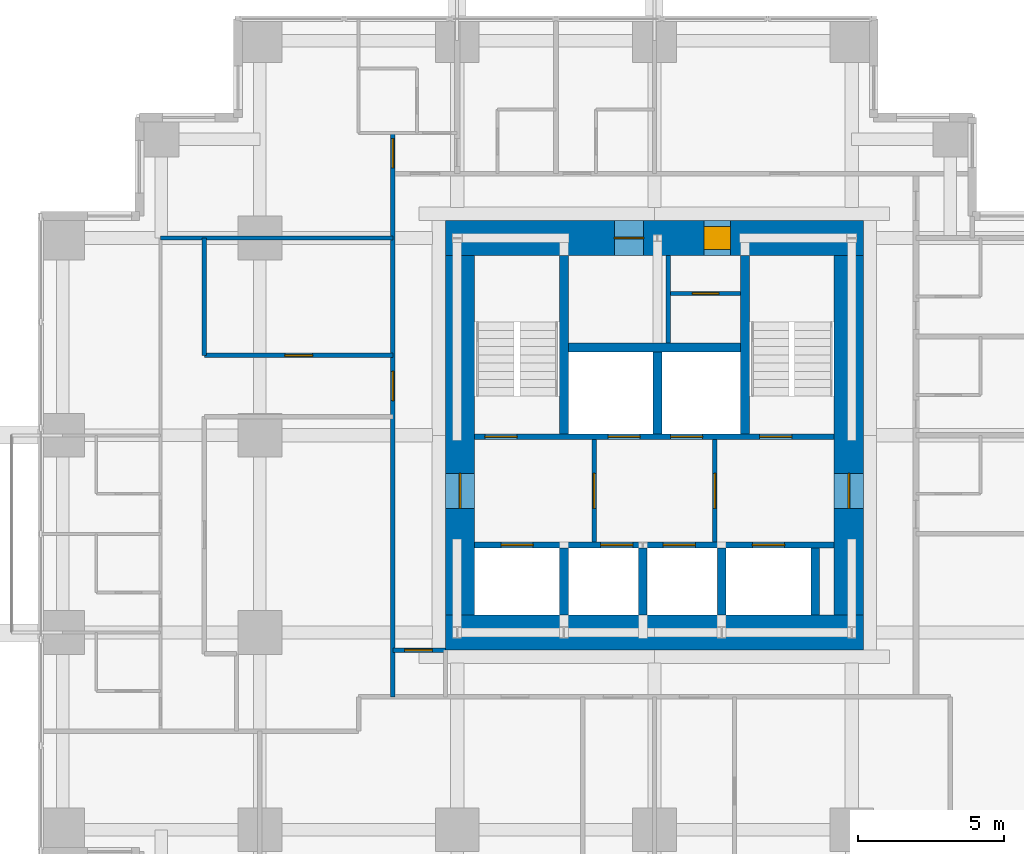
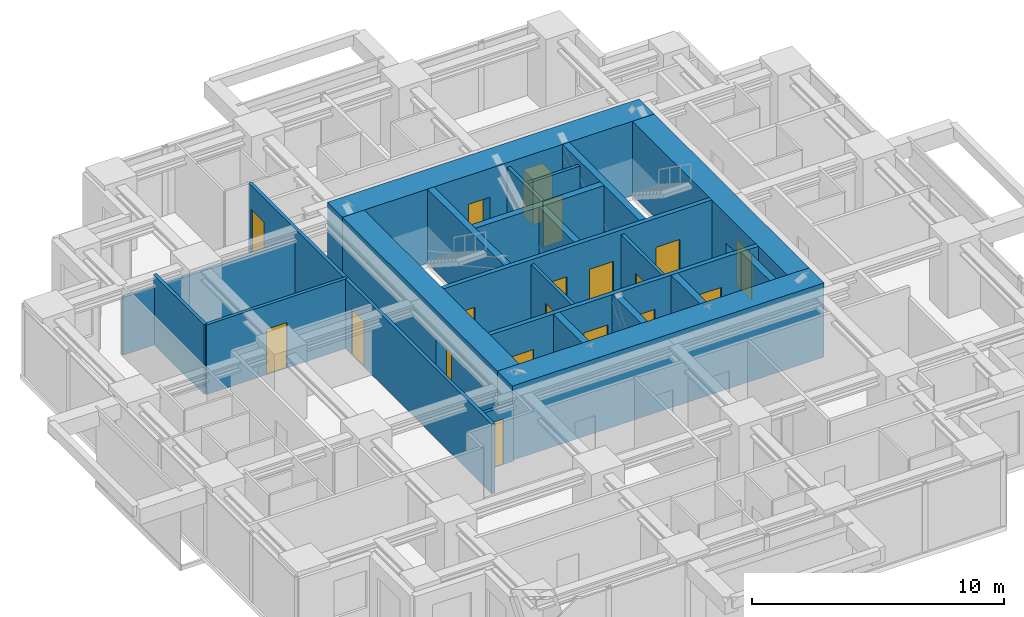
# One storey, part 7 of 10: 23 walls, 19 doors, 19 openings.
"""IFC4 building model written with IfcOpenShell, lengths in metres."""

from ifc_helpers import new_model, si_unit, direction, frame, frame_2d, origin, place, context, subcontext, project, spatial, rectangle, extrude, material, layer, layer_set, type_object, element, fill, save


model = new_model("IFC4")

# Units and contexts
model_context = context("Model", 3, precision=1e-05, world=origin(), true_north=direction((0.0, 1.0)))
body_context = subcontext(model_context, "Body", "Model", "MODEL_VIEW")
ifc_project = project(units=[si_unit("LENGTHUNIT", "METRE"), si_unit("AREAUNIT", "SQUARE_METRE"), si_unit("VOLUMEUNIT", "CUBIC_METRE"), si_unit("PLANEANGLEUNIT", "RADIAN"), si_unit("MASSUNIT", "GRAM", prefix="KILO")], contexts=[model_context])

# Site, building, storey
site_placement = place(None, origin())
site = spatial("IfcSite", under=ifc_project, at=site_placement, CompositionType="ELEMENT")
building_placement = place(site_placement, origin())
building = spatial("IfcBuilding", under=site, at=building_placement, Name="Nyansa Garden Tower", CompositionType="ELEMENT")
storey_placement = place(building_placement, frame((0.0, 0.0, 167.39990234375)))
storey = spatial("IfcBuildingStorey", under=building, at=storey_placement, Name="L45", CompositionType="ELEMENT", Elevation=167.39990234375)

# Wall, openings, doors
ifc_material_1 = material(Name="Concrete C70/85", Category="concrete")
ifc_layer_1 = layer(ifc_material_1, 0.199951171875)
ifc_layer_set_1 = layer_set([ifc_layer_1], Name="Core inner wall CI200")
wall_type_1 = type_object("IfcWallType", Name="Core inner wall CI200", PredefinedType="SHEAR", material=ifc_layer_set_1)
wall_1_placement = place(storey_placement, frame((14.10009765625, 16.5, 0.0), z_axis=(0.0, 0.0, 1.0), x_axis=(1.0, 0.0, 0.0)))
wall_1 = element("IfcWall", 1, at=wall_1_placement, inside=storey, type_object=wall_type_1, Name="Core inner wall L45", PredefinedType="SHEAR", context=body_context, shape_type="SweptSolid", body=[
    extrude(rectangle(XDim=12.2998046875, YDim=0.199951171875, at=frame_2d((6.14990234375, 0.0))), origin(), (0.0, 0.0, 1.0), 3.60009765625),
])
opening_1_placement = place(wall_1_placement, frame((0.89990234375, 0.0, 0.0)))
opening_1 = element("IfcOpeningElement", 2, at=opening_1_placement, cuts=wall_1, Name="Opening LD-F", PredefinedType="OPENING", context=body_context, shape_type="SweptSolid", body=[
    extrude(rectangle(XDim=1.10009765625, YDim=2.199951171875, at=frame_2d((0.550048828125, 1.10009765625))), frame((0.0, 0.10986328125, 0.0), z_axis=(0.0, -1.0, 0.0), x_axis=(1.0, 0.0, 0.0)), (0.0, 0.0, 1.0), 0.219970703125),
])
opening_2_placement = place(wall_1_placement, frame((4.31005859375, 0.0, 0.0)))
opening_2 = element("IfcOpeningElement", 3, at=opening_2_placement, cuts=wall_1, Name="Opening LD-B", PredefinedType="OPENING", context=body_context, shape_type="SweptSolid", body=[
    extrude(rectangle(XDim=1.10009765625, YDim=2.199951171875, at=frame_2d((0.550048828125, 1.10009765625))), frame((0.0, 0.10986328125, 0.0), z_axis=(0.0, -1.0, 0.0), x_axis=(1.0, 0.0, 0.0)), (0.0, 0.0, 1.0), 0.219970703125),
])
opening_3_placement = place(wall_1_placement, frame((6.449951171875, 0.0, 0.0)))
opening_3 = element("IfcOpeningElement", 4, at=opening_3_placement, cuts=wall_1, Name="Opening LD-B", PredefinedType="OPENING", context=body_context, shape_type="SweptSolid", body=[
    extrude(rectangle(XDim=1.10009765625, YDim=2.199951171875, at=frame_2d((0.550048828125, 1.10009765625))), frame((0.0, 0.10986328125, 0.0), z_axis=(0.0, -1.0, 0.0), x_axis=(1.0, 0.0, 0.0)), (0.0, 0.0, 1.0), 0.219970703125),
])
opening_4_placement = place(wall_1_placement, frame((9.5, 0.0, 0.0)))
opening_4 = element("IfcOpeningElement", 5, at=opening_4_placement, cuts=wall_1, Name="Opening LD-F", PredefinedType="OPENING", context=body_context, shape_type="SweptSolid", body=[
    extrude(rectangle(XDim=1.10009765625, YDim=2.199951171875, at=frame_2d((0.550048828125, 1.10009765625))), frame((0.0, 0.10986328125, 0.0), z_axis=(0.0, -1.0, 0.0), x_axis=(1.0, 0.0, 0.0)), (0.0, 0.0, 1.0), 0.219970703125),
])
ifc_material_2 = material(Name="Stainless steel centre-opening landing door of the high-rise lift, E 120", Category="steel")
door_type_1 = type_object("IfcDoorType", Name="Lift landing door LD-B 1100x2200", OperationType="DOUBLE_DOOR_SLIDING", PredefinedType="DOOR", material=ifc_material_2)
door_1_placement = place(opening_2_placement, origin())
door_1 = element("IfcDoor", 6, at=door_1_placement, inside=storey, type_object=door_type_1, Name="Landing door B1", OperationType="DOUBLE_DOOR_SLIDING", OverallHeight=2.199951171875, OverallWidth=1.10009765625, PredefinedType="DOOR", context=body_context, shape_type="SweptSolid", body=[
    extrude(rectangle(XDim=1.10009765625, YDim=2.199951171875, at=frame_2d((0.550048828125, 1.10009765625))), frame((0.0, 0.02490234375, 0.0), z_axis=(0.0, -1.0, 0.0), x_axis=(1.0, 0.0, 0.0)), (0.0, 0.0, 1.0), 0.050048828125),
])
fill(opening_2, door_1)
door_2_placement = place(opening_3_placement, origin())
door_2 = element("IfcDoor", 7, at=door_2_placement, inside=storey, type_object=door_type_1, Name="Landing door B2", OperationType="DOUBLE_DOOR_SLIDING", OverallHeight=2.199951171875, OverallWidth=1.10009765625, PredefinedType="DOOR", context=body_context, shape_type="SweptSolid", body=[
    extrude(rectangle(XDim=1.10009765625, YDim=2.199951171875, at=frame_2d((0.550048828125, 1.10009765625))), frame((0.0, 0.02490234375, 0.0), z_axis=(0.0, -1.0, 0.0), x_axis=(1.0, 0.0, 0.0)), (0.0, 0.0, 1.0), 0.050048828125),
])
fill(opening_3, door_2)
ifc_material_3 = material(Name="Stainless steel centre-opening landing door of the firefighting lift, EN 81-72, E 120", Category="steel")
door_type_2 = type_object("IfcDoorType", Name="Lift landing door LD-F 1100x2200", OperationType="DOUBLE_DOOR_SLIDING", PredefinedType="DOOR", material=ifc_material_3)
door_3_placement = place(opening_1_placement, origin())
door_3 = element("IfcDoor", 8, at=door_3_placement, inside=storey, type_object=door_type_2, Name="Landing door FF1", OperationType="DOUBLE_DOOR_SLIDING", OverallHeight=2.199951171875, OverallWidth=1.10009765625, PredefinedType="DOOR", context=body_context, shape_type="SweptSolid", body=[
    extrude(rectangle(XDim=1.10009765625, YDim=2.199951171875, at=frame_2d((0.550048828125, 1.10009765625))), frame((0.0, 0.02490234375, 0.0), z_axis=(0.0, -1.0, 0.0), x_axis=(1.0, 0.0, 0.0)), (0.0, 0.0, 1.0), 0.050048828125),
])
fill(opening_1, door_3)
door_4_placement = place(opening_4_placement, origin())
door_4 = element("IfcDoor", 9, at=door_4_placement, inside=storey, type_object=door_type_2, Name="Landing door FF2", OperationType="DOUBLE_DOOR_SLIDING", OverallHeight=2.199951171875, OverallWidth=1.10009765625, PredefinedType="DOOR", context=body_context, shape_type="SweptSolid", body=[
    extrude(rectangle(XDim=1.10009765625, YDim=2.199951171875, at=frame_2d((0.550048828125, 1.10009765625))), frame((0.0, 0.02490234375, 0.0), z_axis=(0.0, -1.0, 0.0), x_axis=(1.0, 0.0, 0.0)), (0.0, 0.0, 1.0), 0.050048828125),
])
fill(opening_4, door_4)

wall_2_placement = place(storey_placement, frame((14.10009765625, 20.199951171875, 0.0), z_axis=(0.0, 0.0, 1.0), x_axis=(1.0, 0.0, 0.0)))
wall_2 = element("IfcWall", 10, at=wall_2_placement, inside=storey, type_object=wall_type_1, Name="Core inner wall L45", PredefinedType="SHEAR", context=body_context, shape_type="SweptSolid", body=[
    extrude(rectangle(XDim=12.2998046875, YDim=0.199951171875, at=frame_2d((6.14990234375, 0.0))), origin(), (0.0, 0.0, 1.0), 3.60009765625),
])
opening_5_placement = place(wall_2_placement, frame((4.56005859375, 0.0, 0.0)))
opening_5 = element("IfcOpeningElement", 11, at=opening_5_placement, cuts=wall_2, Name="Opening LD-B", PredefinedType="OPENING", context=body_context, shape_type="SweptSolid", body=[
    extrude(rectangle(XDim=1.10009765625, YDim=2.199951171875, at=frame_2d((0.550048828125, 1.10009765625))), frame((0.0, 0.10986328125, 0.0), z_axis=(0.0, -1.0, 0.0), x_axis=(1.0, 0.0, 0.0)), (0.0, 0.0, 1.0), 0.219970703125),
])
opening_6_placement = place(wall_2_placement, frame((6.699951171875, 0.0, 0.0)))
opening_6 = element("IfcOpeningElement", 12, at=opening_6_placement, cuts=wall_2, Name="Opening LD-B", PredefinedType="OPENING", context=body_context, shape_type="SweptSolid", body=[
    extrude(rectangle(XDim=1.10009765625, YDim=2.199951171875, at=frame_2d((0.550048828125, 1.10009765625))), frame((0.0, 0.10986328125, 0.0), z_axis=(0.0, -1.0, 0.0), x_axis=(1.0, 0.0, 0.0)), (0.0, 0.0, 1.0), 0.219970703125),
])
opening_7_placement = place(wall_2_placement, frame((0.35009765625, 0.0, 0.0)))
opening_7 = element("IfcOpeningElement", 13, at=opening_7_placement, cuts=wall_2, Name="Opening D05", PredefinedType="OPENING", context=body_context, shape_type="SweptSolid", body=[
    extrude(rectangle(XDim=1.10009765625, YDim=2.199951171875, at=frame_2d((0.550048828125, 1.10009765625))), frame((0.0, 0.10986328125, 0.0), z_axis=(0.0, -1.0, 0.0), x_axis=(1.0, 0.0, 0.0)), (0.0, 0.0, 1.0), 0.219970703125),
])
opening_8_placement = place(wall_2_placement, frame((9.75, 0.0, 0.0)))
opening_8 = element("IfcOpeningElement", 14, at=opening_8_placement, cuts=wall_2, Name="Opening D05", PredefinedType="OPENING", context=body_context, shape_type="SweptSolid", body=[
    extrude(rectangle(XDim=1.10009765625, YDim=2.199951171875, at=frame_2d((0.550048828125, 1.10009765625))), frame((0.0, 0.10986328125, 0.0), z_axis=(0.0, -1.0, 0.0), x_axis=(1.0, 0.0, 0.0)), (0.0, 0.0, 1.0), 0.219970703125),
])
door_5_placement = place(opening_5_placement, origin())
door_5 = element("IfcDoor", 15, at=door_5_placement, inside=storey, type_object=door_type_1, Name="Landing door B3", OperationType="DOUBLE_DOOR_SLIDING", OverallHeight=2.199951171875, OverallWidth=1.10009765625, PredefinedType="DOOR", context=body_context, shape_type="SweptSolid", body=[
    extrude(rectangle(XDim=1.10009765625, YDim=2.199951171875, at=frame_2d((0.550048828125, 1.10009765625))), frame((0.0, 0.02490234375, 0.0), z_axis=(0.0, -1.0, 0.0), x_axis=(1.0, 0.0, 0.0)), (0.0, 0.0, 1.0), 0.050048828125),
])
fill(opening_5, door_5)
door_6_placement = place(opening_6_placement, origin())
door_6 = element("IfcDoor", 16, at=door_6_placement, inside=storey, type_object=door_type_1, Name="Landing door B4", OperationType="DOUBLE_DOOR_SLIDING", OverallHeight=2.199951171875, OverallWidth=1.10009765625, PredefinedType="DOOR", context=body_context, shape_type="SweptSolid", body=[
    extrude(rectangle(XDim=1.10009765625, YDim=2.199951171875, at=frame_2d((0.550048828125, 1.10009765625))), frame((0.0, 0.02490234375, 0.0), z_axis=(0.0, -1.0, 0.0), x_axis=(1.0, 0.0, 0.0)), (0.0, 0.0, 1.0), 0.050048828125),
])
fill(opening_6, door_6)
ifc_material_4 = material(Name="Steel door, 120 minute fire resisting", Category="steel")
door_type_3 = type_object("IfcDoorType", Name="Stair door D05 1100x2200", OperationType="SINGLE_SWING_LEFT", PredefinedType="DOOR", material=ifc_material_4)
door_7_placement = place(opening_7_placement, origin())
door_7 = element("IfcDoor", 17, at=door_7_placement, inside=storey, type_object=door_type_3, Name="Stair S1 door", OperationType="SINGLE_SWING_LEFT", OverallHeight=2.199951171875, OverallWidth=1.10009765625, PredefinedType="DOOR", context=body_context, shape_type="SweptSolid", body=[
    extrude(rectangle(XDim=1.10009765625, YDim=2.199951171875, at=frame_2d((0.550048828125, 1.10009765625))), frame((0.0, 0.02490234375, 0.0), z_axis=(0.0, -1.0, 0.0), x_axis=(1.0, 0.0, 0.0)), (0.0, 0.0, 1.0), 0.050048828125),
])
fill(opening_7, door_7)
door_8_placement = place(opening_8_placement, origin())
door_8 = element("IfcDoor", 18, at=door_8_placement, inside=storey, type_object=door_type_3, Name="Stair S2 door", OperationType="SINGLE_SWING_LEFT", OverallHeight=2.199951171875, OverallWidth=1.10009765625, PredefinedType="DOOR", context=body_context, shape_type="SweptSolid", body=[
    extrude(rectangle(XDim=1.10009765625, YDim=2.199951171875, at=frame_2d((0.550048828125, 1.10009765625))), frame((0.0, 0.02490234375, 0.0), z_axis=(0.0, -1.0, 0.0), x_axis=(1.0, 0.0, 0.0)), (0.0, 0.0, 1.0), 0.050048828125),
])
fill(opening_8, door_8)

# Walls
ifc_material_5 = material(Name="Concrete C70/85", Category="concrete")
ifc_layer_2 = layer(ifc_material_5, 0.300048828125)
ifc_layer_set_2 = layer_set([ifc_layer_2], Name="Core inner wall CI300")
wall_type_2 = type_object("IfcWallType", Name="Core inner wall CI300", PredefinedType="SHEAR", material=ifc_layer_set_2)
for number, where, z_axis, x_axis, name in (
    (19, (17.14990234375, 20.300048828125, 0.0), (0.0, 0.0, 1.0), (0.0, 1.0, 0.0), "Core inner wall L45"),
    (20, (23.35009765625, 20.300048828125, 0.0), (0.0, 0.0, 1.0), (0.0, 1.0, 0.0), "Core inner wall L45"),
):
    element("IfcWall", number, at=place(storey_placement, frame(where, z_axis=z_axis, x_axis=x_axis)), inside=storey, type_object=wall_type_2, Name=name, PredefinedType="SHEAR", context=body_context, shape_type="SweptSolid", body=[
        extrude(rectangle(XDim=6.099853515625, YDim=0.300048828125, at=frame_2d((3.0498046875, 0.0))), origin(), (0.0, 0.0, 1.0), 3.60009765625),
    ])
wall_3_placement = place(storey_placement, frame((20.35009765625, 20.300048828125, 0.0), z_axis=(0.0, 0.0, 1.0), x_axis=(0.0, 1.0, 0.0)))
element("IfcWall", 21, at=wall_3_placement, inside=storey, type_object=wall_type_2, Name="Core inner wall L45", PredefinedType="SHEAR", context=body_context, shape_type="SweptSolid", body=[
    extrude(rectangle(XDim=2.800048828125, YDim=0.300048828125, at=frame_2d((1.39990234375, 0.0))), origin(), (0.0, 0.0, 1.0), 3.60009765625),
])
wall_4_placement = place(storey_placement, frame((17.300048828125, 23.25, 0.0), z_axis=(0.0, 0.0, 1.0), x_axis=(1.0, 0.0, 0.0)))
element("IfcWall", 22, at=wall_4_placement, inside=storey, type_object=wall_type_2, Name="Core inner wall L45", PredefinedType="SHEAR", context=body_context, shape_type="SweptSolid", body=[
    extrude(rectangle(XDim=5.89990234375, YDim=0.300048828125, at=frame_2d((2.949951171875, 0.0))), origin(), (0.0, 0.0, 1.0), 3.60009765625),
])
for number, where, z_axis, x_axis, name in (
    (23, (17.14990234375, 14.10009765625, 0.0), (0.0, 0.0, 1.0), (0.0, 1.0, 0.0), "Core inner wall L45"),
    (24, (19.85009765625, 14.10009765625, 0.0), (0.0, 0.0, 1.0), (0.0, 1.0, 0.0), "Core inner wall L45"),
    (25, (22.550048828125, 14.10009765625, 0.0), (0.0, 0.0, 1.0), (0.0, 1.0, 0.0), "Core inner wall L45"),
    (26, (25.75, 14.10009765625, 0.0), (0.0, 0.0, 1.0), (0.0, 1.0, 0.0), "Core inner wall L45"),
):
    element("IfcWall", number, at=place(storey_placement, frame(where, z_axis=z_axis, x_axis=x_axis)), inside=storey, type_object=wall_type_2, Name=name, PredefinedType="SHEAR", context=body_context, shape_type="SweptSolid", body=[
        extrude(rectangle(XDim=2.2998046875, YDim=0.300048828125, at=frame_2d((1.14990234375, 0.0))), origin(), (0.0, 0.0, 1.0), 3.60009765625),
    ])

# Wall, opening, door
ifc_material_6 = material(Name="Concrete C80/95", Category="concrete")
ifc_layer_3 = layer(ifc_material_6, 1.0)
ifc_layer_set_3 = layer_set([ifc_layer_3], Name="Core wall CW1000")
wall_type_3 = type_object("IfcWallType", Name="Core wall CW1000", PredefinedType="SHEAR", material=ifc_layer_set_3)
wall_5_placement = place(storey_placement, frame((26.89990234375, 14.10009765625, 0.0), z_axis=(0.0, 0.0, 1.0), x_axis=(0.0, 1.0, 0.0)))
wall_5 = element("IfcWall", 27, at=wall_5_placement, inside=storey, type_object=wall_type_3, Name="Core wall E L45", PredefinedType="SHEAR", context=body_context, shape_type="SweptSolid", body=[
    extrude(rectangle(XDim=12.2998046875, YDim=1.0, at=frame_2d((6.14990234375, 0.0))), origin(), (0.0, 0.0, 1.0), 3.60009765625),
])
opening_9_placement = place(wall_5_placement, frame((3.64990234375, 0.0, 0.0)))
opening_9 = element("IfcOpeningElement", 28, at=opening_9_placement, cuts=wall_5, Name="Opening D06", PredefinedType="OPENING", context=body_context, shape_type="SweptSolid", body=[
    extrude(rectangle(XDim=1.199951171875, YDim=2.199951171875, at=frame_2d((0.60009765625, 1.10009765625))), frame((0.0, 0.510009765625, 0.0), z_axis=(0.0, -1.0, 0.0), x_axis=(1.0, 0.0, 0.0)), (0.0, 0.0, 1.0), 1.02001953125),
])
ifc_material_7 = material(Name="Steel door, 120 minute fire resisting", Category="steel")
door_type_4 = type_object("IfcDoorType", Name="Lobby door D06 1200x2200", OperationType="DOUBLE_DOOR_SINGLE_SWING", PredefinedType="DOOR", material=ifc_material_7)
door_9_placement = place(opening_9_placement, origin())
door_9 = element("IfcDoor", 29, at=door_9_placement, inside=storey, type_object=door_type_4, Name="Lift lobby door east", OperationType="DOUBLE_DOOR_SINGLE_SWING", OverallHeight=2.199951171875, OverallWidth=1.199951171875, PredefinedType="DOOR", context=body_context, shape_type="SweptSolid", body=[
    extrude(rectangle(XDim=1.199951171875, YDim=2.199951171875, at=frame_2d((0.60009765625, 1.10009765625))), frame((0.0, 0.02490234375, 0.0), z_axis=(0.0, -1.0, 0.0), x_axis=(1.0, 0.0, 0.0)), (0.0, 0.0, 1.0), 0.050048828125),
])
fill(opening_9, door_9)

wall_6_placement = place(storey_placement, frame((13.60009765625, 26.39990234375, 0.0), z_axis=(0.0, 0.0, 1.0), x_axis=(0.0, -1.0, 0.0)))
wall_6 = element("IfcWall", 30, at=wall_6_placement, inside=storey, type_object=wall_type_3, Name="Core wall W L45", PredefinedType="SHEAR", context=body_context, shape_type="SweptSolid", body=[
    extrude(rectangle(XDim=12.2998046875, YDim=1.0, at=frame_2d((6.14990234375, 0.0))), origin(), (0.0, 0.0, 1.0), 3.60009765625),
])
opening_10_placement = place(wall_6_placement, frame((7.449951171875, 0.0, 0.0)))
opening_10 = element("IfcOpeningElement", 31, at=opening_10_placement, cuts=wall_6, Name="Opening D06", PredefinedType="OPENING", context=body_context, shape_type="SweptSolid", body=[
    extrude(rectangle(XDim=1.199951171875, YDim=2.199951171875, at=frame_2d((0.60009765625, 1.10009765625))), frame((0.0, 0.510009765625, 0.0), z_axis=(0.0, -1.0, 0.0), x_axis=(1.0, 0.0, 0.0)), (0.0, 0.0, 1.0), 1.02001953125),
])
door_10_placement = place(opening_10_placement, origin())
door_10 = element("IfcDoor", 32, at=door_10_placement, inside=storey, type_object=door_type_4, Name="Lift lobby door west", OperationType="DOUBLE_DOOR_SINGLE_SWING", OverallHeight=2.199951171875, OverallWidth=1.199951171875, PredefinedType="DOOR", context=body_context, shape_type="SweptSolid", body=[
    extrude(rectangle(XDim=1.199951171875, YDim=2.199951171875, at=frame_2d((0.60009765625, 1.10009765625))), frame((0.0, 0.02490234375, 0.0), z_axis=(0.0, -1.0, 0.0), x_axis=(1.0, 0.0, 0.0)), (0.0, 0.0, 1.0), 0.050048828125),
])
fill(opening_10, door_10)

# Wall
ifc_material_8 = material(Name="Concrete C80/95", Category="concrete")
ifc_layer_4 = layer(ifc_material_8, 1.199951171875)
ifc_layer_set_4 = layer_set([ifc_layer_4], Name="Core wall CW1200")
wall_type_4 = type_object("IfcWallType", Name="Core wall CW1200", PredefinedType="SHEAR", material=ifc_layer_set_4)
wall_7_placement = place(storey_placement, frame((13.10009765625, 13.5, 0.0), z_axis=(0.0, 0.0, 1.0), x_axis=(1.0, 0.0, 0.0)))
element("IfcWall", 33, at=wall_7_placement, inside=storey, type_object=wall_type_4, Name="Core wall S L45", PredefinedType="SHEAR", context=body_context, shape_type="SweptSolid", body=[
    extrude(rectangle(XDim=14.2998046875, YDim=1.199951171875, at=frame_2d((7.14990234375, 0.0))), origin(), (0.0, 0.0, 1.0), 3.60009765625),
])

# Wall, openings, doors
wall_8_placement = place(storey_placement, frame((27.39990234375, 27.0, 0.0), z_axis=(0.0, 0.0, 1.0), x_axis=(-1.0, 0.0, 0.0)))
wall_8 = element("IfcWall", 34, at=wall_8_placement, inside=storey, type_object=wall_type_4, Name="Core wall N L45", PredefinedType="SHEAR", context=body_context, shape_type="SweptSolid", body=[
    extrude(rectangle(XDim=14.2998046875, YDim=1.199951171875, at=frame_2d((7.14990234375, 0.0))), origin(), (0.0, 0.0, 1.0), 3.60009765625),
])
opening_11_placement = place(wall_8_placement, frame((4.550048828125, 0.0, 0.0)))
opening_11 = element("IfcOpeningElement", 35, at=opening_11_placement, cuts=wall_8, Name="Opening D15", PredefinedType="OPENING", context=body_context, shape_type="SweptSolid", body=[
    extrude(rectangle(XDim=0.89990234375, YDim=2.199951171875, at=frame_2d((0.449951171875, 1.10009765625))), frame((0.0, 0.60986328125, 0.0), z_axis=(0.0, -1.0, 0.0), x_axis=(1.0, 0.0, 0.0)), (0.0, 0.0, 1.0), 1.219970703125),
])
opening_12_placement = place(wall_8_placement, frame((7.52490234375, 0.0, 0.0)))
opening_12 = element("IfcOpeningElement", 36, at=opening_12_placement, cuts=wall_8, Name="Opening D07", PredefinedType="OPENING", context=body_context, shape_type="SweptSolid", body=[
    extrude(rectangle(XDim=1.0, YDim=2.199951171875, at=frame_2d((0.5, 1.10009765625))), frame((0.0, 0.60986328125, 0.0), z_axis=(0.0, -1.0, 0.0), x_axis=(1.0, 0.0, 0.0)), (0.0, 0.0, 1.0), 1.219970703125),
])
ifc_material_9 = material(Name="Timber flush door, 60 minute fire resisting, self-closing", Category="wood")
door_type_5 = type_object("IfcDoorType", Name="Core room door D15 900x2200", OperationType="SINGLE_SWING_LEFT", PredefinedType="DOOR", material=ifc_material_9)
door_11_placement = place(opening_11_placement, origin())
door_11 = element("IfcDoor", 37, at=door_11_placement, inside=storey, type_object=door_type_5, Name="Core room door", OperationType="SINGLE_SWING_LEFT", OverallHeight=2.199951171875, OverallWidth=0.89990234375, PredefinedType="DOOR", context=body_context, shape_type="SweptSolid", body=[
    extrude(rectangle(XDim=0.89990234375, YDim=2.199951171875, at=frame_2d((0.449951171875, 1.10009765625))), frame((0.0, 0.39990234375, 0.0), z_axis=(0.0, -1.0, 0.0), x_axis=(1.0, 0.0, 0.0)), (0.0, 0.0, 1.0), 0.800048828125),
])
fill(opening_11, door_11)
ifc_material_10 = material(Name="Steel door, 120 minute fire resisting", Category="steel")
door_type_6 = type_object("IfcDoorType", Name="Riser door D07 1000x2200", OperationType="SINGLE_SWING_LEFT", PredefinedType="DOOR", material=ifc_material_10)
door_12_placement = place(opening_12_placement, origin())
door_12 = element("IfcDoor", 38, at=door_12_placement, inside=storey, type_object=door_type_6, Name="Riser and refuse room door", OperationType="SINGLE_SWING_LEFT", OverallHeight=2.199951171875, OverallWidth=1.0, PredefinedType="DOOR", context=body_context, shape_type="SweptSolid", body=[
    extrude(rectangle(XDim=1.0, YDim=2.199951171875, at=frame_2d((0.5, 1.10009765625))), frame((0.0, 0.02490234375, 0.0), z_axis=(0.0, -1.0, 0.0), x_axis=(1.0, 0.0, 0.0)), (0.0, 0.0, 1.0), 0.050048828125),
])
fill(opening_12, door_12)

# Wall, opening, door
ifc_material_11 = material(Name="Blockwork, plastered both sides", Category="masonry")
ifc_layer_5 = layer(ifc_material_11, 0.14990234375)
ifc_layer_set_5 = layer_set([ifc_layer_5], Name="Partition PW150")
wall_type_5 = type_object("IfcWallType", Name="Partition PW150", PredefinedType="PARTITIONING", material=ifc_layer_set_5)
wall_9_placement = place(storey_placement, frame((18.18505859375, 16.60009765625, 0.0), z_axis=(0.0, 0.0, 1.0), x_axis=(0.0, 1.0, 0.0)))
wall_9 = element("IfcWall", 39, at=wall_9_placement, inside=storey, type_object=wall_type_5, Name="Partition", PredefinedType="PARTITIONING", context=body_context, shape_type="SweptSolid", body=[
    extrude(rectangle(XDim=3.5, YDim=0.14990234375, at=frame_2d((1.75, 0.0))), origin(), (0.0, 0.0, 1.0), 3.375),
])
opening_13_placement = place(wall_9_placement, frame((1.14990234375, 0.0, 0.0)))
opening_13 = element("IfcOpeningElement", 40, at=opening_13_placement, cuts=wall_9, Name="Opening D06", PredefinedType="OPENING", context=body_context, shape_type="SweptSolid", body=[
    extrude(rectangle(XDim=1.199951171875, YDim=2.199951171875, at=frame_2d((0.60009765625, 1.10009765625))), frame((0.0, 0.0849609375, 0.0), z_axis=(0.0, -1.0, 0.0), x_axis=(1.0, 0.0, 0.0)), (0.0, 0.0, 1.0), 0.169921875),
])
door_13_placement = place(opening_13_placement, origin())
door_13 = element("IfcDoor", 41, at=door_13_placement, inside=storey, type_object=door_type_4, Name="Passenger lift lobby door", OperationType="DOUBLE_DOOR_SINGLE_SWING", OverallHeight=2.199951171875, OverallWidth=1.199951171875, PredefinedType="DOOR", context=body_context, shape_type="SweptSolid", body=[
    extrude(rectangle(XDim=1.199951171875, YDim=2.199951171875, at=frame_2d((0.60009765625, 1.10009765625))), frame((0.0, 0.02490234375, 0.0), z_axis=(0.0, -1.0, 0.0), x_axis=(1.0, 0.0, 0.0)), (0.0, 0.0, 1.0), 0.050048828125),
])
fill(opening_13, door_13)

wall_10_placement = place(storey_placement, frame((22.31494140625, 16.60009765625, 0.0), z_axis=(0.0, 0.0, 1.0), x_axis=(0.0, 1.0, 0.0)))
wall_10 = element("IfcWall", 42, at=wall_10_placement, inside=storey, type_object=wall_type_5, Name="Partition", PredefinedType="PARTITIONING", context=body_context, shape_type="SweptSolid", body=[
    extrude(rectangle(XDim=3.5, YDim=0.14990234375, at=frame_2d((1.75, 0.0))), origin(), (0.0, 0.0, 1.0), 3.375),
])
opening_14_placement = place(wall_10_placement, frame((1.14990234375, 0.0, 0.0)))
opening_14 = element("IfcOpeningElement", 43, at=opening_14_placement, cuts=wall_10, Name="Opening D06", PredefinedType="OPENING", context=body_context, shape_type="SweptSolid", body=[
    extrude(rectangle(XDim=1.199951171875, YDim=2.199951171875, at=frame_2d((0.60009765625, 1.10009765625))), frame((0.0, 0.0849609375, 0.0), z_axis=(0.0, -1.0, 0.0), x_axis=(1.0, 0.0, 0.0)), (0.0, 0.0, 1.0), 0.169921875),
])
door_14_placement = place(opening_14_placement, origin())
door_14 = element("IfcDoor", 44, at=door_14_placement, inside=storey, type_object=door_type_4, Name="Passenger lift lobby door", OperationType="DOUBLE_DOOR_SINGLE_SWING", OverallHeight=2.199951171875, OverallWidth=1.199951171875, PredefinedType="DOOR", context=body_context, shape_type="SweptSolid", body=[
    extrude(rectangle(XDim=1.199951171875, YDim=2.199951171875, at=frame_2d((0.60009765625, 1.10009765625))), frame((0.0, 0.02490234375, 0.0), z_axis=(0.0, -1.0, 0.0), x_axis=(1.0, 0.0, 0.0)), (0.0, 0.0, 1.0), 0.050048828125),
])
fill(opening_14, door_14)

# Wall
wall_11_placement = place(storey_placement, frame((20.72509765625, 23.39990234375, 0.0), z_axis=(0.0, 0.0, 1.0), x_axis=(0.0, 1.0, 0.0)))
element("IfcWall", 45, at=wall_11_placement, inside=storey, type_object=wall_type_5, Name="Partition", PredefinedType="PARTITIONING", context=body_context, shape_type="SweptSolid", body=[
    extrude(rectangle(XDim=3.0, YDim=0.14990234375, at=frame_2d((1.5, 0.0))), origin(), (0.0, 0.0, 1.0), 3.375),
])

# Wall, opening, door
wall_12_placement = place(storey_placement, frame((20.800048828125, 25.10009765625, 0.0), z_axis=(0.0, 0.0, 1.0), x_axis=(1.0, 0.0, 0.0)))
wall_12 = element("IfcWall", 46, at=wall_12_placement, inside=storey, type_object=wall_type_5, Name="Partition", PredefinedType="PARTITIONING", context=body_context, shape_type="SweptSolid", body=[
    extrude(rectangle(XDim=2.39990234375, YDim=0.14990234375, at=frame_2d((1.199951171875, 0.0))), origin(), (0.0, 0.0, 1.0), 3.375),
])
opening_15_placement = place(wall_12_placement, frame((0.75, 0.0, 0.0)))
opening_15 = element("IfcOpeningElement", 47, at=opening_15_placement, cuts=wall_12, Name="Opening D02", PredefinedType="OPENING", context=body_context, shape_type="SweptSolid", body=[
    extrude(rectangle(XDim=0.89990234375, YDim=2.199951171875, at=frame_2d((0.449951171875, 1.10009765625))), frame((0.0, 0.0849609375, 0.0), z_axis=(0.0, -1.0, 0.0), x_axis=(1.0, 0.0, 0.0)), (0.0, 0.0, 1.0), 0.169921875),
])
ifc_material_12 = material(Name="Timber flush door", Category="wood")
door_type_7 = type_object("IfcDoorType", Name="En-suite door D02 900x2200", OperationType="SINGLE_SWING_RIGHT", PredefinedType="DOOR", material=ifc_material_12)
door_15_placement = place(opening_15_placement, origin())
door_15 = element("IfcDoor", 48, at=door_15_placement, inside=storey, type_object=door_type_7, Name="Staff WC door", OperationType="SINGLE_SWING_RIGHT", OverallHeight=2.199951171875, OverallWidth=0.89990234375, PredefinedType="DOOR", context=body_context, shape_type="SweptSolid", body=[
    extrude(rectangle(XDim=0.89990234375, YDim=2.199951171875, at=frame_2d((0.449951171875, 1.10009765625))), frame((0.0, 0.02490234375, 0.0), z_axis=(0.0, -1.0, 0.0), x_axis=(1.0, 0.0, 0.0)), (0.0, 0.0, 1.0), 0.050048828125),
])
fill(opening_15, door_15)

# Walls
wall_13_placement = place(storey_placement, frame((3.35009765625, 27.0, 0.0), z_axis=(0.0, 0.0, 1.0), x_axis=(1.0, 0.0, 0.0)))
element("IfcWall", 49, at=wall_13_placement, inside=storey, type_object=wall_type_5, Name="Partition", PredefinedType="PARTITIONING", context=body_context, shape_type="SweptSolid", body=[
    extrude(rectangle(XDim=7.949951171875, YDim=0.14990234375, at=frame_2d((3.97509765625, 0.0))), origin(), (0.0, 0.0, 1.0), 2.80615234375),
])
wall_14_placement = place(storey_placement, frame((4.85009765625, 22.987548828125, 0.0), z_axis=(0.0, 0.0, 1.0), x_axis=(0.0, 1.0, 0.0)))
element("IfcWall", 50, at=wall_14_placement, inside=storey, type_object=wall_type_5, Name="Partition", PredefinedType="PARTITIONING", context=body_context, shape_type="SweptSolid", body=[
    extrude(rectangle(XDim=4.012451171875, YDim=0.14990234375, at=frame_2d((2.00634765625, 0.0))), origin(), (0.0, 0.0, 1.0), 3.375),
])

# Wall, opening, door
wall_15_placement = place(storey_placement, frame((4.85009765625, 22.988037109375, 0.0), z_axis=(0.0, 0.0, 1.0), x_axis=(1.0, 0.0, 0.0)))
wall_15 = element("IfcWall", 51, at=wall_15_placement, inside=storey, type_object=wall_type_5, Name="Partition", PredefinedType="PARTITIONING", context=body_context, shape_type="SweptSolid", body=[
    extrude(rectangle(XDim=6.449951171875, YDim=0.14990234375, at=frame_2d((3.22509765625, 0.0))), origin(), (0.0, 0.0, 1.0), 3.375),
])
opening_16_placement = place(wall_15_placement, frame((2.75, 0.0, 0.0)))
opening_16 = element("IfcOpeningElement", 52, at=opening_16_placement, cuts=wall_15, Name="Opening D01", PredefinedType="OPENING", context=body_context, shape_type="SweptSolid", body=[
    extrude(rectangle(XDim=0.949951171875, YDim=2.199951171875, at=frame_2d((0.47509765625, 1.10009765625))), frame((0.0, 0.0849609375, 0.0), z_axis=(0.0, -1.0, 0.0), x_axis=(1.0, 0.0, 0.0)), (0.0, 0.0, 1.0), 0.169921875),
])
ifc_material_13 = material(Name="Timber flush door, 30 minute fire resisting", Category="wood")
door_type_8 = type_object("IfcDoorType", Name="Bedroom door D01 950x2200", OperationType="SINGLE_SWING_LEFT", PredefinedType="DOOR", material=ifc_material_13)
door_16_placement = place(opening_16_placement, origin())
door_16 = element("IfcDoor", 53, at=door_16_placement, inside=storey, type_object=door_type_8, Name="Door L45-054", OperationType="SINGLE_SWING_LEFT", OverallHeight=2.199951171875, OverallWidth=0.949951171875, PredefinedType="DOOR", context=body_context, shape_type="SweptSolid", body=[
    extrude(rectangle(XDim=0.949951171875, YDim=2.199951171875, at=frame_2d((0.47509765625, 1.10009765625))), frame((0.0, 0.02490234375, 0.0), z_axis=(0.0, -1.0, 0.0), x_axis=(1.0, 0.0, 0.0)), (0.0, 0.0, 1.0), 0.050048828125),
])
fill(opening_16, door_16)

# Wall, openings, doors
wall_16_placement = place(storey_placement, frame((11.300048828125, 11.300048828125, 0.0), z_axis=(0.0, 0.0, 1.0), x_axis=(0.0, 1.0, 0.0)))
wall_16 = element("IfcWall", 54, at=wall_16_placement, inside=storey, type_object=wall_type_5, Name="Partition", PredefinedType="PARTITIONING", context=body_context, shape_type="SweptSolid", body=[
    extrude(rectangle(XDim=19.300048828125, YDim=0.14990234375, at=frame_2d((9.64990234375, 0.0))), origin(), (0.0, 0.0, 1.0), 3.375),
])
opening_17_placement = place(wall_16_placement, frame((18.10009765625, 0.0, 0.0)))
opening_17 = element("IfcOpeningElement", 55, at=opening_17_placement, cuts=wall_16, Name="Opening D03", PredefinedType="OPENING", context=body_context, shape_type="SweptSolid", body=[
    extrude(rectangle(XDim=1.0, YDim=2.199951171875, at=frame_2d((0.5, 1.10009765625))), frame((0.0, 0.0849609375, 0.0), z_axis=(0.0, -1.0, 0.0), x_axis=(1.0, 0.0, 0.0)), (0.0, 0.0, 1.0), 0.169921875),
])
opening_18_placement = place(wall_16_placement, frame((10.137451171875, 0.0, 0.0)))
opening_18 = element("IfcOpeningElement", 56, at=opening_18_placement, cuts=wall_16, Name="Opening D03", PredefinedType="OPENING", context=body_context, shape_type="SweptSolid", body=[
    extrude(rectangle(XDim=1.0, YDim=2.199951171875, at=frame_2d((0.5, 1.10009765625))), frame((0.0, 0.0849609375, 0.0), z_axis=(0.0, -1.0, 0.0), x_axis=(1.0, 0.0, 0.0)), (0.0, 0.0, 1.0), 0.169921875),
])
ifc_material_14 = material(Name="Timber flush door, 60 minute fire resisting", Category="wood")
door_type_9 = type_object("IfcDoorType", Name="Cluster entrance door D03 1000x2200", OperationType="SINGLE_SWING_LEFT", PredefinedType="DOOR", material=ifc_material_14)
door_17_placement = place(opening_17_placement, origin())
door_17 = element("IfcDoor", 57, at=door_17_placement, inside=storey, type_object=door_type_9, Name="Door L45-045", OperationType="SINGLE_SWING_LEFT", OverallHeight=2.199951171875, OverallWidth=1.0, PredefinedType="DOOR", context=body_context, shape_type="SweptSolid", body=[
    extrude(rectangle(XDim=1.0, YDim=2.199951171875, at=frame_2d((0.5, 1.10009765625))), frame((0.0, 0.02490234375, 0.0), z_axis=(0.0, -1.0, 0.0), x_axis=(1.0, 0.0, 0.0)), (0.0, 0.0, 1.0), 0.050048828125),
])
fill(opening_17, door_17)
door_18_placement = place(opening_18_placement, origin())
door_18 = element("IfcDoor", 58, at=door_18_placement, inside=storey, type_object=door_type_9, Name="Door L45-052", OperationType="SINGLE_SWING_LEFT", OverallHeight=2.199951171875, OverallWidth=1.0, PredefinedType="DOOR", context=body_context, shape_type="SweptSolid", body=[
    extrude(rectangle(XDim=1.0, YDim=2.199951171875, at=frame_2d((0.5, 1.10009765625))), frame((0.0, 0.02490234375, 0.0), z_axis=(0.0, -1.0, 0.0), x_axis=(1.0, 0.0, 0.0)), (0.0, 0.0, 1.0), 0.050048828125),
])
fill(opening_18, door_18)

# Wall, opening, door
wall_17_placement = place(storey_placement, frame((11.300048828125, 12.89990234375, 0.0), z_axis=(0.0, 0.0, 1.0), x_axis=(1.0, 0.0, 0.0)))
wall_17 = element("IfcWall", 59, at=wall_17_placement, inside=storey, type_object=wall_type_5, Name="Partition", PredefinedType="PARTITIONING", context=body_context, shape_type="SweptSolid", body=[
    extrude(rectangle(XDim=1.800048828125, YDim=0.14990234375, at=frame_2d((0.89990234375, 0.0))), origin(), (0.0, 0.0, 1.0), 2.80615234375),
])
opening_19_placement = place(wall_17_placement, frame((0.39990234375, 0.0, 0.0)))
opening_19 = element("IfcOpeningElement", 60, at=opening_19_placement, cuts=wall_17, Name="Opening D01", PredefinedType="OPENING", context=body_context, shape_type="SweptSolid", body=[
    extrude(rectangle(XDim=0.949951171875, YDim=2.199951171875, at=frame_2d((0.47509765625, 1.10009765625))), frame((0.0, 0.0849609375, 0.0), z_axis=(0.0, -1.0, 0.0), x_axis=(1.0, 0.0, 0.0)), (0.0, 0.0, 1.0), 0.169921875),
])
door_19_placement = place(opening_19_placement, origin())
door_19 = element("IfcDoor", 61, at=door_19_placement, inside=storey, type_object=door_type_8, Name="Door L45-017", OperationType="SINGLE_SWING_LEFT", OverallHeight=2.199951171875, OverallWidth=0.949951171875, PredefinedType="DOOR", context=body_context, shape_type="SweptSolid", body=[
    extrude(rectangle(XDim=0.949951171875, YDim=2.199951171875, at=frame_2d((0.47509765625, 1.10009765625))), frame((0.0, 0.02490234375, 0.0), z_axis=(0.0, -1.0, 0.0), x_axis=(1.0, 0.0, 0.0)), (0.0, 0.0, 1.0), 0.050048828125),
])
fill(opening_19, door_19)

save(model, "model.ifc")
